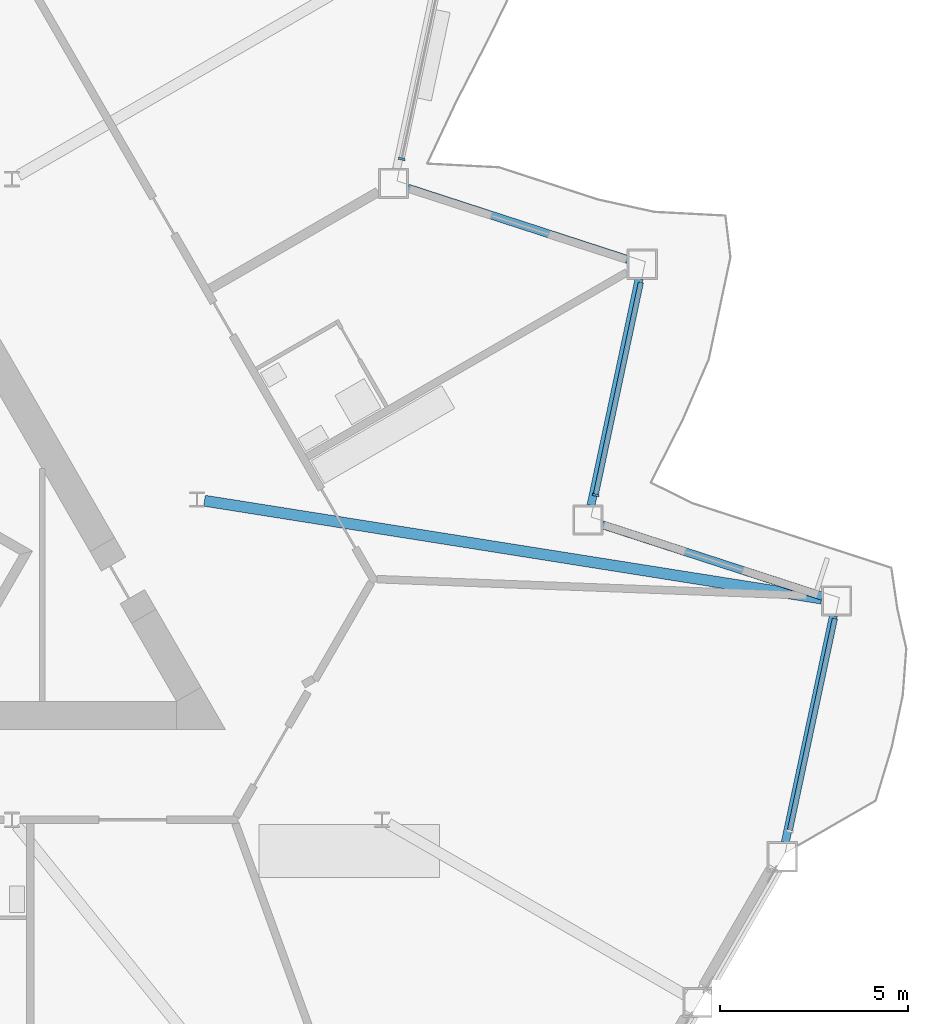
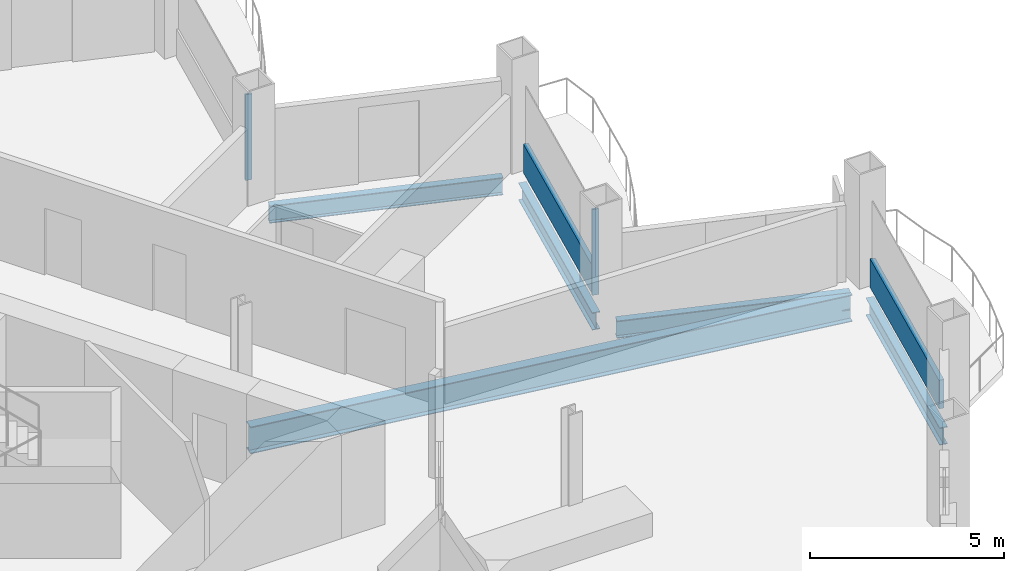
# One storey, part 7 of 23: 5 beams, 4 members, 3 elements without a shape of their own.
"""IFC4 building model written with IfcOpenShell, lengths in metres."""

from ifc_helpers import new_model, si_unit, direction, frame, origin, origin_2d, place, context, subcontext, project, spatial, rectangle, i_section, extrude, material, layer, layer_set, material_profile, profile_set, type_object, element, aggregate, save


model = new_model("IFC4")

# Units and contexts
model_context = context("Model", 3, precision=1e-05, world=origin(), true_north=direction((0.0, 1.0)))
body_context = subcontext(model_context, "Body", "Model", "MODEL_VIEW")
ifc_project = project(units=[si_unit("LENGTHUNIT", "METRE"), si_unit("AREAUNIT", "SQUARE_METRE"), si_unit("VOLUMEUNIT", "CUBIC_METRE"), si_unit("PLANEANGLEUNIT", "RADIAN"), si_unit("MASSUNIT", "GRAM", prefix="KILO")], contexts=[model_context])

# Site, building, storey
site_placement = place(None, origin())
site = spatial("IfcSite", under=ifc_project, at=site_placement, CompositionType="ELEMENT")
building_placement = place(site_placement, origin())
building = spatial("IfcBuilding", under=site, at=building_placement, Name="Cormorant Prow Tower", CompositionType="ELEMENT")
storey_placement = place(building_placement, frame((0.0, 0.0, 208.800048828125)))
storey = spatial("IfcBuildingStorey", under=building, at=storey_placement, Name="L46", CompositionType="ELEMENT", Elevation=208.800048828125)

# Curtain wall, member
ifc_material_1 = material(Name="Aluminium 6063-T6", Category="aluminium")
ifc_layer = layer(ifc_material_1, 0.179931640625)
ifc_layer_set = layer_set([ifc_layer], Name="Aluminium 6063-T6")
curtain_wall_type = type_object("IfcCurtainWallType", Name="Hotel unitised curtain wall 180", PredefinedType="NOTDEFINED", material=ifc_layer_set)
curtain_wall_1_placement = place(storey_placement, origin())
curtain_wall_1 = element("IfcCurtainWall", 1, at=curtain_wall_1_placement, inside=storey, type_object=curtain_wall_type, Name="Hotel curtain wall ENE02", PredefinedType="NOTDEFINED")
ifc_material_2 = material(Name="Aluminium 6063-T6", Category="aluminium")
ifc_material_profile_1 = material_profile(ifc_material_2, rectangle(XDim=0.179931640625, YDim=0.06005859375, at=origin_2d()), Name="Hotel mullion 60x180")
ifc_profile_set_1 = profile_set([ifc_material_profile_1], Name="Aluminium 6063-T6")
member_type_1 = type_object("IfcMemberType", Name="Hotel mullion 60x180", PredefinedType="MULLION", material=ifc_profile_set_1)
member_1_placement = place(storey_placement, frame((25.33837890625, -2.71728515625, 0.0), z_axis=(0.0, 0.0, 1.0), x_axis=(-0.978147602617, 0.207911681957, 0.0)))
member_1 = element("IfcMember", 2, at=member_1_placement, type_object=member_type_1, Name="Hotel mullion ENE02", PredefinedType="MULLION", context=body_context, shape_type="SweptSolid", body=[
    extrude(rectangle(XDim=0.179931640625, YDim=0.06005859375, at=origin_2d()), origin(), (0.0, 0.0, 1.0), 2.700927734375),
])

curtain_wall_2_placement = place(storey_placement, origin())
curtain_wall_2 = element("IfcCurtainWall", 3, at=curtain_wall_2_placement, inside=storey, type_object=curtain_wall_type, Name="Hotel curtain wall ENE04", PredefinedType="NOTDEFINED")
member_2_placement = place(storey_placement, frame((20.182861328125, 6.21240234375, 0.0), z_axis=(0.0, 0.0, 1.0), x_axis=(-0.978147596387, 0.20791171127, 0.0)))
member_2 = element("IfcMember", 4, at=member_2_placement, type_object=member_type_1, Name="Hotel mullion ENE04", PredefinedType="MULLION", context=body_context, shape_type="SweptSolid", body=[
    extrude(rectangle(XDim=0.179931640625, YDim=0.06005859375, at=origin_2d()), origin(), (0.0, 0.0, 1.0), 2.700927734375),
])
aggregate(curtain_wall_2, [member_2])

curtain_wall_3_placement = place(storey_placement, origin())
curtain_wall_3 = element("IfcCurtainWall", 5, at=curtain_wall_3_placement, inside=storey, type_object=curtain_wall_type, Name="Hotel curtain wall ENE00", PredefinedType="NOTDEFINED")
ifc_material_3 = material(Name="Terracotta", Category="masonry")
ifc_material_profile_2 = material_profile(ifc_material_3, rectangle(XDim=0.139892578125, YDim=0.89990234375, at=origin_2d()), Name="Hotel terracotta spandrel rail 140x900")
ifc_profile_set_2 = profile_set([ifc_material_profile_2], Name="Terracotta")
member_type_2 = type_object("IfcMemberType", Name="Hotel terracotta spandrel rail 140x900", PredefinedType="USERDEFINED", material=ifc_profile_set_2)
member_3_placement = place(storey_placement, frame((30.500244140625, -11.617919921875, 0.449951171875), z_axis=(0.207925883131, 0.978144583957, 0.0), x_axis=(-0.978144583957, 0.207925883131, 0.0)))
member_3 = element("IfcMember", 6, at=member_3_placement, type_object=member_type_2, Name="Hotel spandrel rail ENE00", ObjectType="TRANSOM", PredefinedType="USERDEFINED", context=body_context, shape_type="SweptSolid", body=[
    extrude(rectangle(XDim=0.139892578125, YDim=0.89990234375, at=origin_2d()), origin(), (0.0, 0.0, 1.0), 5.74169921875),
])
aggregate(curtain_wall_3, [member_3])

# Member
member_4_placement = place(storey_placement, frame((25.3447265625, -2.68798828125, 0.449951171875), z_axis=(0.207885200263, 0.9781532311, 0.0), x_axis=(-0.9781532311, 0.207885200263, 0.0)))
member_4 = element("IfcMember", 7, at=member_4_placement, type_object=member_type_2, Name="Hotel spandrel rail ENE02", ObjectType="TRANSOM", PredefinedType="USERDEFINED", context=body_context, shape_type="SweptSolid", body=[
    extrude(rectangle(XDim=0.139892578125, YDim=0.89990234375, at=origin_2d()), origin(), (0.0, 0.0, 1.0), 5.74169921875),
])

aggregate(curtain_wall_1, [member_1, member_4])

# Beams
ifc_material_4 = material(Name="Structural steel ASTM A992 Gr 50", Category="steel")
ifc_material_profile_3 = material_profile(ifc_material_4, i_section(OverallWidth=0.29296875, OverallDepth=0.845703125, WebThickness=0.015380859375, FlangeThickness=0.0244140625, at=origin_2d()), Name="W33x141")
ifc_profile_set_3 = profile_set([ifc_material_profile_3], Name="Structural steel ASTM A992 Gr 50")
beam_type_1 = type_object("IfcBeamType", Name="Radial floor beam W33x141", PredefinedType="BEAM", material=ifc_profile_set_3)
beam_1_placement = place(storey_placement, frame((14.94384765625, -2.869140625, -0.77294921875), z_axis=(0.987678058302, -0.156499371084, 0.0), x_axis=(0.156499371084, 0.987678058302, 0.0)))
element("IfcBeam", 8, at=beam_1_placement, inside=storey, type_object=beam_type_1, Name="Radial floor beam FB2 10 L46", PredefinedType="BEAM", context=body_context, shape_type="SweptSolid", body=[
    extrude(i_section(OverallWidth=0.29296875, OverallDepth=0.845703125, WebThickness=0.015380859375, FlangeThickness=0.0244140625, at=origin_2d()), origin(), (0.0, 0.0, 1.0), 16.604736328125),
])
ifc_material_5 = material(Name="Structural steel ASTM A992 Gr 50", Category="steel")
ifc_material_profile_4 = material_profile(ifc_material_5, i_section(OverallWidth=0.2138671875, OverallDepth=0.549072265625, WebThickness=0.0146484375, FlangeThickness=0.023681640625, at=origin_2d()), Name="W21x93")
ifc_profile_set_4 = profile_set([ifc_material_profile_4], Name="Structural steel ASTM A992 Gr 50")
beam_type_2 = type_object("IfcBeamType", Name="Spandrel beam W21x93", PredefinedType="SPANDREL", material=ifc_profile_set_4)
beam_2_placement = place(storey_placement, frame((30.377197265625, -11.93701171875, -0.62451171875), z_axis=(0.207904811195, 0.978149063018, 0.0), x_axis=(-0.978149063018, 0.207904811195, 0.0)))
element("IfcBeam", 9, at=beam_2_placement, inside=storey, type_object=beam_type_2, Name="Spandrel beam SB2 ENE00-ENE01 L46", PredefinedType="SPANDREL", context=body_context, shape_type="SweptSolid", body=[
    extrude(i_section(OverallWidth=0.2138671875, OverallDepth=0.549072265625, WebThickness=0.0146484375, FlangeThickness=0.023681640625, at=origin_2d()), origin(), (0.0, 0.0, 1.0), 6.149658203125),
])
beam_3_placement = place(storey_placement, frame((31.358642578125, -5.40673828125, -0.62451171875), z_axis=(-0.951057696564, 0.309013361859, 0.0), x_axis=(-0.309013361859, -0.951057696564, 0.0)))
element("IfcBeam", 10, at=beam_3_placement, inside=storey, type_object=beam_type_2, Name="Spandrel beam SB2 ENE01-ENE02 L46", PredefinedType="SPANDREL", context=body_context, shape_type="SweptSolid", body=[
    extrude(i_section(OverallWidth=0.2138671875, OverallDepth=0.549072265625, WebThickness=0.0146484375, FlangeThickness=0.023681640625, at=origin_2d()), origin(), (0.0, 0.0, 1.0), 6.14990234375),
])
beam_4_placement = place(storey_placement, frame((25.21240234375, -2.991455078125, -0.62451171875), z_axis=(0.207904811195, 0.978149063018, 0.0), x_axis=(-0.978149063018, 0.207904811195, 0.0)))
element("IfcBeam", 11, at=beam_4_placement, inside=storey, type_object=beam_type_2, Name="Spandrel beam SB2 ENE02-ENE03 L46", PredefinedType="SPANDREL", context=body_context, shape_type="SweptSolid", body=[
    extrude(i_section(OverallWidth=0.2138671875, OverallDepth=0.549072265625, WebThickness=0.0146484375, FlangeThickness=0.023681640625, at=origin_2d()), origin(), (0.0, 0.0, 1.0), 6.149658203125),
])
beam_5_placement = place(storey_placement, frame((26.19384765625, 3.538818359375, -0.62451171875), z_axis=(-0.951057696564, 0.309013361859, 0.0), x_axis=(-0.309013361859, -0.951057696564, 0.0)))
element("IfcBeam", 12, at=beam_5_placement, inside=storey, type_object=beam_type_2, Name="Spandrel beam SB2 ENE03-ENE04 L46", PredefinedType="SPANDREL", context=body_context, shape_type="SweptSolid", body=[
    extrude(i_section(OverallWidth=0.2138671875, OverallDepth=0.549072265625, WebThickness=0.0146484375, FlangeThickness=0.023681640625, at=origin_2d()), origin(), (0.0, 0.0, 1.0), 6.14990234375),
])

save(model, "model.ifc")
